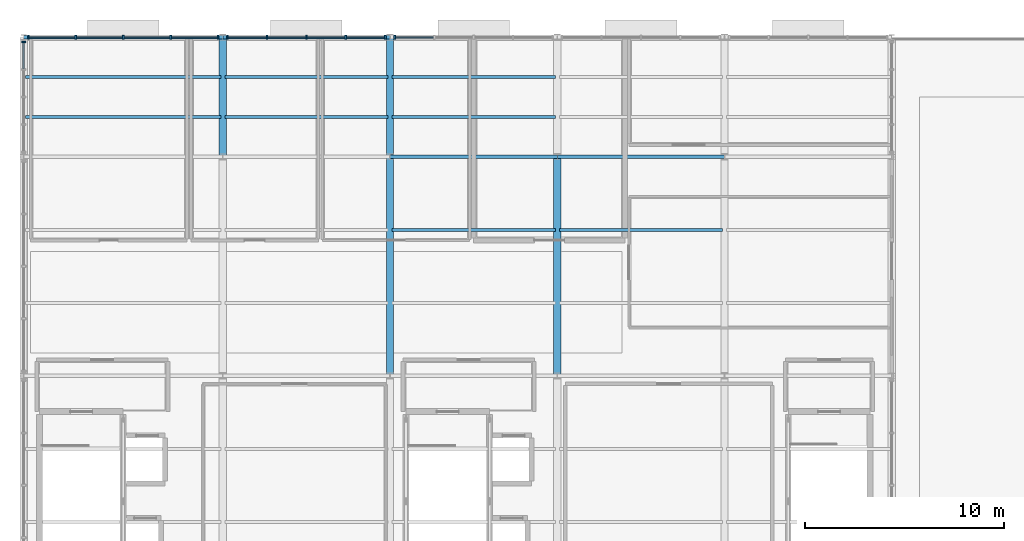
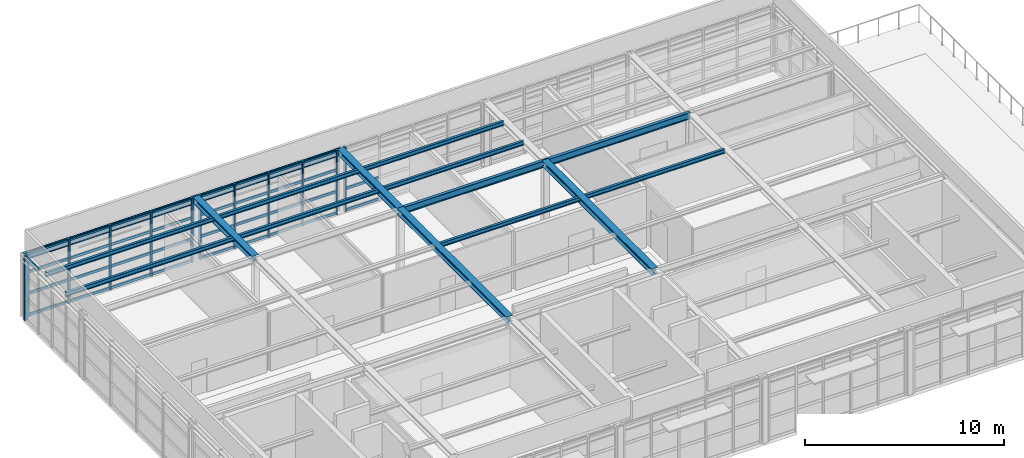
# One storey, part 7 of 18: 47 members, 16 beams, 4 elements without a shape of their own.
"""IFC4 building model written with IfcOpenShell, lengths in metres."""

from ifc_helpers import new_model, si_unit, direction, frame, origin, origin_2d, place, context, subcontext, project, spatial, rectangle, i_section, extrude, material, layer, layer_set, material_profile, profile_set, type_object, element, aggregate, save


model = new_model("IFC4")

# Units and contexts
model_context = context("Model", 3, precision=1e-05, world=origin(), true_north=direction((0.0, 1.0)))
body_context = subcontext(model_context, "Body", "Model", "MODEL_VIEW")
ifc_project = project(units=[si_unit("LENGTHUNIT", "METRE"), si_unit("AREAUNIT", "SQUARE_METRE"), si_unit("VOLUMEUNIT", "CUBIC_METRE"), si_unit("PLANEANGLEUNIT", "RADIAN"), si_unit("MASSUNIT", "GRAM", prefix="KILO")], contexts=[model_context])

# Site, building, storey
site_placement = place(None, origin())
site = spatial("IfcSite", under=ifc_project, at=site_placement, CompositionType="ELEMENT")
building_placement = place(site_placement, origin())
building = spatial("IfcBuilding", under=site, at=building_placement, Name="Sitalva Quay Ferry Terminal", CompositionType="ELEMENT")
storey_placement = place(building_placement, frame((0.0, 0.0, 18.60009765625)))
storey = spatial("IfcBuildingStorey", under=building, at=storey_placement, Name="L05", CompositionType="ELEMENT", Elevation=18.60009765625)

# Beams
ifc_material_1 = material(Name="Structural Steel S355JR", Category="steel")
ifc_material_profile_1 = material_profile(ifc_material_1, i_section(OverallWidth=0.368896484375, OverallDepth=0.35595703125, WebThickness=0.01123046875, FlangeThickness=0.01806640625, FilletRadius=0.014892578125, at=origin_2d()), Name="W360x134")
ifc_profile_set_1 = profile_set([ifc_material_profile_1], Name="Structural Steel S355JR")
beam_type_1 = type_object("IfcBeamType", Name="Beam_W360x134", PredefinedType="BEAM", material=ifc_profile_set_1)
beam_1_placement = place(storey_placement, frame((84.0, 100.0, 3.781982421875), z_axis=(0.0, 1.0, 0.0), x_axis=(-1.0, 0.0, 0.0)))
element("IfcBeam", 1, at=beam_1_placement, inside=storey, type_object=beam_type_1, Name="L05 Primary Y girder 1425", PredefinedType="BEAM", context=body_context, shape_type="SweptSolid", body=[
    extrude(i_section(OverallWidth=0.368896484375, OverallDepth=0.35595703125, WebThickness=0.01123046875, FlangeThickness=0.01806640625, FilletRadius=0.014892578125, at=origin_2d()), origin(), (0.0, 0.0, 1.0), 6.0),
])
beam_2_placement = place(storey_placement, frame((92.39990234375, 89.0, 3.781982421875), z_axis=(0.0, 1.0, 0.0), x_axis=(-1.0, 0.0, 0.0)))
element("IfcBeam", 2, at=beam_2_placement, inside=storey, type_object=beam_type_1, Name="L05 Primary Y girder 1427", PredefinedType="BEAM", context=body_context, shape_type="SweptSolid", body=[
    extrude(i_section(OverallWidth=0.368896484375, OverallDepth=0.35595703125, WebThickness=0.01123046875, FlangeThickness=0.01806640625, FilletRadius=0.014892578125, at=origin_2d()), origin(), (0.0, 0.0, 1.0), 11.0),
])
beam_3_placement = place(storey_placement, frame((92.39990234375, 100.0, 3.781982421875), z_axis=(0.0, 1.0, 0.0), x_axis=(-1.0, 0.0, 0.0)))
element("IfcBeam", 3, at=beam_3_placement, inside=storey, type_object=beam_type_1, Name="L05 Primary Y girder 1428", PredefinedType="BEAM", context=body_context, shape_type="SweptSolid", body=[
    extrude(i_section(OverallWidth=0.368896484375, OverallDepth=0.35595703125, WebThickness=0.01123046875, FlangeThickness=0.01806640625, FilletRadius=0.014892578125, at=origin_2d()), origin(), (0.0, 0.0, 1.0), 6.0),
])
beam_4_placement = place(storey_placement, frame((100.800048828125, 89.0, 3.781982421875), z_axis=(0.0, 1.0, 0.0), x_axis=(-1.0, 0.0, 0.0)))
element("IfcBeam", 4, at=beam_4_placement, inside=storey, type_object=beam_type_1, Name="L05 Primary Y girder 1430", PredefinedType="BEAM", context=body_context, shape_type="SweptSolid", body=[
    extrude(i_section(OverallWidth=0.368896484375, OverallDepth=0.35595703125, WebThickness=0.01123046875, FlangeThickness=0.01806640625, FilletRadius=0.014892578125, at=origin_2d()), origin(), (0.0, 0.0, 1.0), 11.0),
])
ifc_material_2 = material(Name="Structural Steel S355JR", Category="steel")
ifc_material_profile_2 = material_profile(ifc_material_2, i_section(OverallWidth=0.178955078125, OverallDepth=0.409912109375, WebThickness=0.0087890625, FlangeThickness=0.014404296875, FilletRadius=0.012939453125, at=origin_2d()), Name="W410x67")
ifc_profile_set_2 = profile_set([ifc_material_profile_2], Name="Structural Steel S355JR")
beam_type_2 = type_object("IfcBeamType", Name="Beam_W410x67", PredefinedType="BEAM", material=ifc_profile_set_2)
beam_5_placement = place(storey_placement, frame((92.39990234375, 100.0, 3.7548828125), z_axis=(1.0, 0.0, 0.0), x_axis=(0.0, 1.0, 0.0)))
element("IfcBeam", 5, at=beam_5_placement, inside=storey, type_object=beam_type_2, Name="L05 Primary X girder 1412", PredefinedType="BEAM", context=body_context, shape_type="SweptSolid", body=[
    extrude(i_section(OverallWidth=0.178955078125, OverallDepth=0.409912109375, WebThickness=0.0087890625, FlangeThickness=0.014404296875, FilletRadius=0.012939453125, at=origin_2d()), origin(), (0.0, 0.0, 1.0), 8.400146484375),
])
beam_6_placement = place(storey_placement, frame((100.800048828125, 100.0, 3.7548828125), z_axis=(1.0, 0.0, 0.0), x_axis=(0.0, 1.0, 0.0)))
element("IfcBeam", 6, at=beam_6_placement, inside=storey, type_object=beam_type_2, Name="L05 Primary X girder 1413", PredefinedType="BEAM", context=body_context, shape_type="SweptSolid", body=[
    extrude(i_section(OverallWidth=0.178955078125, OverallDepth=0.409912109375, WebThickness=0.0087890625, FlangeThickness=0.014404296875, FilletRadius=0.012939453125, at=origin_2d()), origin(), (0.0, 0.0, 1.0), 8.39990234375),
])
beam_7_placement = place(storey_placement, frame((74.0, 106.0, 3.7548828125), z_axis=(1.0, 0.0, 0.0), x_axis=(0.0, 1.0, 0.0)))
element("IfcBeam", 7, at=beam_7_placement, inside=storey, type_object=beam_type_2, Name="L05 Primary X girder 1415", PredefinedType="BEAM", context=body_context, shape_type="SweptSolid", body=[
    extrude(i_section(OverallWidth=0.178955078125, OverallDepth=0.409912109375, WebThickness=0.0087890625, FlangeThickness=0.014404296875, FilletRadius=0.012939453125, at=origin_2d()), origin(), (0.0, 0.0, 1.0), 10.0),
])
beam_8_placement = place(storey_placement, frame((84.0, 106.0, 3.7548828125), z_axis=(1.0, 0.0, 0.0), x_axis=(0.0, 1.0, 0.0)))
element("IfcBeam", 8, at=beam_8_placement, inside=storey, type_object=beam_type_2, Name="L05 Primary X girder 1416", PredefinedType="BEAM", context=body_context, shape_type="SweptSolid", body=[
    extrude(i_section(OverallWidth=0.178955078125, OverallDepth=0.409912109375, WebThickness=0.0087890625, FlangeThickness=0.014404296875, FilletRadius=0.012939453125, at=origin_2d()), origin(), (0.0, 0.0, 1.0), 8.39990234375),
])
ifc_material_3 = material(Name="Structural Steel S355JR", Category="steel")
ifc_material_profile_3 = material_profile(ifc_material_3, i_section(OverallWidth=0.14697265625, OverallDepth=0.261962890625, WebThickness=0.006591796875, FlangeThickness=0.01123046875, FilletRadius=0.010009765625, at=origin_2d()), Name="W250x39")
ifc_profile_set_3 = profile_set([ifc_material_profile_3], Name="Structural Steel S355JR")
beam_type_3 = type_object("IfcBeamType", Name="Joist_W250x39", PredefinedType="JOIST", material=ifc_profile_set_3)
beam_9_placement = place(storey_placement, frame((92.5, 96.333251953125, 3.828857421875), z_axis=(1.0, 0.0, 0.0), x_axis=(0.0, 1.0, 0.0)))
element("IfcBeam", 9, at=beam_9_placement, inside=storey, type_object=beam_type_3, Name="L05 Secondary joist 1455", PredefinedType="JOIST", context=body_context, shape_type="SweptSolid", body=[
    extrude(i_section(OverallWidth=0.14697265625, OverallDepth=0.261962890625, WebThickness=0.006591796875, FlangeThickness=0.01123046875, FilletRadius=0.010009765625, at=origin_2d()), origin(), (0.0, 0.0, 1.0), 8.199951171875),
])
beam_10_placement = place(storey_placement, frame((100.89990234375, 96.333251953125, 3.828857421875), z_axis=(1.0, 0.0, 0.0), x_axis=(0.0, 1.0, 0.0)))
element("IfcBeam", 10, at=beam_10_placement, inside=storey, type_object=beam_type_3, Name="L05 Secondary joist 1456", PredefinedType="JOIST", context=body_context, shape_type="SweptSolid", body=[
    extrude(i_section(OverallWidth=0.14697265625, OverallDepth=0.261962890625, WebThickness=0.006591796875, FlangeThickness=0.01123046875, FilletRadius=0.010009765625, at=origin_2d()), origin(), (0.0, 0.0, 1.0), 8.2001953125),
])
beam_11_placement = place(storey_placement, frame((74.10009765625, 102.0, 3.828857421875), z_axis=(1.0, 0.0, 0.0), x_axis=(0.0, 1.0, 0.0)))
element("IfcBeam", 11, at=beam_11_placement, inside=storey, type_object=beam_type_3, Name="L05 Secondary joist 1458", PredefinedType="JOIST", context=body_context, shape_type="SweptSolid", body=[
    extrude(i_section(OverallWidth=0.14697265625, OverallDepth=0.261962890625, WebThickness=0.006591796875, FlangeThickness=0.01123046875, FilletRadius=0.010009765625, at=origin_2d()), origin(), (0.0, 0.0, 1.0), 9.7998046875),
])
for number, where, z_axis, x_axis, name in (
    (12, (84.10009765625, 102.0, 3.828857421875), (1.0, 0.0, 0.0), (0.0, 1.0, 0.0), "L05 Secondary joist 1459"),
    (13, (92.5, 102.0, 3.828857421875), (1.0, 0.0, 0.0), (0.0, 1.0, 0.0), "L05 Secondary joist 1460"),
):
    element("IfcBeam", number, at=place(storey_placement, frame(where, z_axis=z_axis, x_axis=x_axis)), inside=storey, type_object=beam_type_3, Name=name, PredefinedType="JOIST", context=body_context, shape_type="SweptSolid", body=[
        extrude(i_section(OverallWidth=0.14697265625, OverallDepth=0.261962890625, WebThickness=0.006591796875, FlangeThickness=0.01123046875, FilletRadius=0.010009765625, at=origin_2d()), origin(), (0.0, 0.0, 1.0), 8.199951171875),
    ])
beam_12_placement = place(storey_placement, frame((74.10009765625, 104.0, 3.828857421875), z_axis=(1.0, 0.0, 0.0), x_axis=(0.0, 1.0, 0.0)))
element("IfcBeam", 14, at=beam_12_placement, inside=storey, type_object=beam_type_3, Name="L05 Secondary joist 1463", PredefinedType="JOIST", context=body_context, shape_type="SweptSolid", body=[
    extrude(i_section(OverallWidth=0.14697265625, OverallDepth=0.261962890625, WebThickness=0.006591796875, FlangeThickness=0.01123046875, FilletRadius=0.010009765625, at=origin_2d()), origin(), (0.0, 0.0, 1.0), 9.7998046875),
])
for number, where, z_axis, x_axis, name in (
    (15, (84.10009765625, 104.0, 3.828857421875), (1.0, 0.0, 0.0), (0.0, 1.0, 0.0), "L05 Secondary joist 1464"),
    (16, (92.5, 104.0, 3.828857421875), (1.0, 0.0, 0.0), (0.0, 1.0, 0.0), "L05 Secondary joist 1465"),
):
    element("IfcBeam", number, at=place(storey_placement, frame(where, z_axis=z_axis, x_axis=x_axis)), inside=storey, type_object=beam_type_3, Name=name, PredefinedType="JOIST", context=body_context, shape_type="SweptSolid", body=[
        extrude(i_section(OverallWidth=0.14697265625, OverallDepth=0.261962890625, WebThickness=0.006591796875, FlangeThickness=0.01123046875, FilletRadius=0.010009765625, at=origin_2d()), origin(), (0.0, 0.0, 1.0), 8.199951171875),
    ])

# Curtain wall, member
ifc_material_4 = material(Name="Anodised Aluminium & Low-E Glazing", Category="aluminium")
ifc_layer = layer(ifc_material_4, 0.159912109375)
ifc_layer_set = layer_set([ifc_layer], Name="Anodised Aluminium & Low-E Glazing")
curtain_wall_type = type_object("IfcCurtainWallType", Name="CW_VTS_Sloped", PredefinedType="USERDEFINED", material=ifc_layer_set)
curtain_wall_1_placement = place(storey_placement, origin())
curtain_wall_1 = element("IfcCurtainWall", 17, at=curtain_wall_1_placement, inside=storey, type_object=curtain_wall_type, Name="L05 VTS west panoramic glazing (CW-L05-152)", ObjectType="CURTAIN_WALL", PredefinedType="USERDEFINED")
ifc_material_5 = material(Name="Anodised Aluminium 6063-T6", Category="aluminium")
ifc_material_profile_4 = material_profile(ifc_material_5, rectangle(XDim=0.090087890625, YDim=0.199951171875, at=origin_2d()), Name="ALU90x200")
ifc_profile_set_4 = profile_set([ifc_material_profile_4], Name="Anodised Aluminium 6063-T6")
member_type_1 = type_object("IfcMemberType", Name="Mullion_Alu_90x200", PredefinedType="MULLION", material=ifc_profile_set_4)
member_1_placement = place(storey_placement, frame((74.0, 105.760009765625, 0.0), z_axis=(0.0, 0.0, 1.0), x_axis=(0.0, 1.0, 0.0)))
member_1 = element("IfcMember", 18, at=member_1_placement, type_object=member_type_1, Name="CW-L05-152-M4", PredefinedType="MULLION", context=body_context, shape_type="SweptSolid", body=[
    extrude(rectangle(XDim=0.090087890625, YDim=0.199951171875, at=origin_2d()), origin(), (0.0, 0.0, 1.0), 3.9599609375),
])

# Curtain wall, members
curtain_wall_2_placement = place(storey_placement, origin())
curtain_wall_2 = element("IfcCurtainWall", 19, at=curtain_wall_2_placement, inside=storey, type_object=curtain_wall_type, Name="L05 VTS bridge north glazing (CW-L05-155)", ObjectType="CURTAIN_WALL", PredefinedType="USERDEFINED")
member_2_placement = place(storey_placement, frame((74.239990234375, 106.0, 0.0), z_axis=(0.0, 0.0, 1.0), x_axis=(1.0, 0.0, 0.0)))
member_2 = element("IfcMember", 20, at=member_2_placement, type_object=member_type_1, Name="CW-L05-155-M0", PredefinedType="MULLION", context=body_context, shape_type="SweptSolid", body=[
    extrude(rectangle(XDim=0.090087890625, YDim=0.199951171875, at=origin_2d()), origin(), (0.0, 0.0, 1.0), 3.9599609375),
])
member_3_placement = place(storey_placement, frame((76.6201171875, 106.0, 0.0), z_axis=(0.0, 0.0, 1.0), x_axis=(1.0, 0.0, 0.0)))
member_3 = element("IfcMember", 21, at=member_3_placement, type_object=member_type_1, Name="CW-L05-155-M1", PredefinedType="MULLION", context=body_context, shape_type="SweptSolid", body=[
    extrude(rectangle(XDim=0.090087890625, YDim=0.199951171875, at=origin_2d()), origin(), (0.0, 0.0, 1.0), 3.9599609375),
])
member_4_placement = place(storey_placement, frame((79.0, 106.0, 0.0), z_axis=(0.0, 0.0, 1.0), x_axis=(1.0, 0.0, 0.0)))
member_4 = element("IfcMember", 22, at=member_4_placement, type_object=member_type_1, Name="CW-L05-155-M2", PredefinedType="MULLION", context=body_context, shape_type="SweptSolid", body=[
    extrude(rectangle(XDim=0.090087890625, YDim=0.199951171875, at=origin_2d()), origin(), (0.0, 0.0, 1.0), 3.9599609375),
])
member_5_placement = place(storey_placement, frame((81.3798828125, 106.0, 0.0), z_axis=(0.0, 0.0, 1.0), x_axis=(1.0, 0.0, 0.0)))
member_5 = element("IfcMember", 23, at=member_5_placement, type_object=member_type_1, Name="CW-L05-155-M3", PredefinedType="MULLION", context=body_context, shape_type="SweptSolid", body=[
    extrude(rectangle(XDim=0.090087890625, YDim=0.199951171875, at=origin_2d()), origin(), (0.0, 0.0, 1.0), 3.9599609375),
])
member_6_placement = place(storey_placement, frame((83.760009765625, 106.0, 0.0), z_axis=(0.0, 0.0, 1.0), x_axis=(1.0, 0.0, 0.0)))
member_6 = element("IfcMember", 24, at=member_6_placement, type_object=member_type_1, Name="CW-L05-155-M4", PredefinedType="MULLION", context=body_context, shape_type="SweptSolid", body=[
    extrude(rectangle(XDim=0.090087890625, YDim=0.199951171875, at=origin_2d()), origin(), (0.0, 0.0, 1.0), 3.9599609375),
])

curtain_wall_3_placement = place(storey_placement, origin())
curtain_wall_3 = element("IfcCurtainWall", 25, at=curtain_wall_3_placement, inside=storey, type_object=curtain_wall_type, Name="L05 VTS bridge north glazing (CW-L05-157)", ObjectType="CURTAIN_WALL", PredefinedType="USERDEFINED")
member_7_placement = place(storey_placement, frame((84.239990234375, 106.0, 0.0), z_axis=(0.0, 0.0, 1.0), x_axis=(1.0, 0.0, 0.0)))
member_7 = element("IfcMember", 26, at=member_7_placement, type_object=member_type_1, Name="CW-L05-157-M0", PredefinedType="MULLION", context=body_context, shape_type="SweptSolid", body=[
    extrude(rectangle(XDim=0.090087890625, YDim=0.199951171875, at=origin_2d()), origin(), (0.0, 0.0, 1.0), 3.9599609375),
])
member_8_placement = place(storey_placement, frame((86.219970703125, 106.0, 0.0), z_axis=(0.0, 0.0, 1.0), x_axis=(1.0, 0.0, 0.0)))
member_8 = element("IfcMember", 27, at=member_8_placement, type_object=member_type_1, Name="CW-L05-157-M1", PredefinedType="MULLION", context=body_context, shape_type="SweptSolid", body=[
    extrude(rectangle(XDim=0.090087890625, YDim=0.199951171875, at=origin_2d()), origin(), (0.0, 0.0, 1.0), 3.9599609375),
])
member_9_placement = place(storey_placement, frame((88.199951171875, 106.0, 0.0), z_axis=(0.0, 0.0, 1.0), x_axis=(1.0, 0.0, 0.0)))
member_9 = element("IfcMember", 28, at=member_9_placement, type_object=member_type_1, Name="CW-L05-157-M2", PredefinedType="MULLION", context=body_context, shape_type="SweptSolid", body=[
    extrude(rectangle(XDim=0.090087890625, YDim=0.199951171875, at=origin_2d()), origin(), (0.0, 0.0, 1.0), 3.9599609375),
])
member_10_placement = place(storey_placement, frame((90.179931640625, 106.0, 0.0), z_axis=(0.0, 0.0, 1.0), x_axis=(1.0, 0.0, 0.0)))
member_10 = element("IfcMember", 29, at=member_10_placement, type_object=member_type_1, Name="CW-L05-157-M3", PredefinedType="MULLION", context=body_context, shape_type="SweptSolid", body=[
    extrude(rectangle(XDim=0.090087890625, YDim=0.199951171875, at=origin_2d()), origin(), (0.0, 0.0, 1.0), 3.9599609375),
])
member_11_placement = place(storey_placement, frame((92.159912109375, 106.0, 0.0), z_axis=(0.0, 0.0, 1.0), x_axis=(1.0, 0.0, 0.0)))
member_11 = element("IfcMember", 30, at=member_11_placement, type_object=member_type_1, Name="CW-L05-157-M4", PredefinedType="MULLION", context=body_context, shape_type="SweptSolid", body=[
    extrude(rectangle(XDim=0.090087890625, YDim=0.199951171875, at=origin_2d()), origin(), (0.0, 0.0, 1.0), 3.9599609375),
])

# Curtain wall, member
curtain_wall_4_placement = place(storey_placement, origin())
curtain_wall_4 = element("IfcCurtainWall", 31, at=curtain_wall_4_placement, inside=storey, type_object=curtain_wall_type, Name="L05 VTS bridge north glazing (CW-L05-159)", ObjectType="CURTAIN_WALL", PredefinedType="USERDEFINED")
member_12_placement = place(storey_placement, frame((92.639892578125, 106.0, 0.0), z_axis=(0.0, 0.0, 1.0), x_axis=(1.0, 0.0, 0.0)))
member_12 = element("IfcMember", 32, at=member_12_placement, type_object=member_type_1, Name="CW-L05-159-M0", PredefinedType="MULLION", context=body_context, shape_type="SweptSolid", body=[
    extrude(rectangle(XDim=0.090087890625, YDim=0.199951171875, at=origin_2d()), origin(), (0.0, 0.0, 1.0), 3.9599609375),
])

# Member
ifc_material_6 = material(Name="Anodised Aluminium 6063-T6", Category="aluminium")
ifc_material_profile_5 = material_profile(ifc_material_6, rectangle(XDim=0.080078125, YDim=0.1650390625, at=origin_2d()), Name="ALU80x165")
ifc_profile_set_5 = profile_set([ifc_material_profile_5], Name="Anodised Aluminium 6063-T6")
member_type_2 = type_object("IfcMemberType", Name="Transom_Alu_80x165", PredefinedType="MULLION", material=ifc_profile_set_5)
member_13_placement = place(storey_placement, frame((74.0, 104.425048828125, 3.87744140625), z_axis=(0.0, 1.0, 0.0), x_axis=(-1.0, 0.0, 0.0)))
member_13 = element("IfcMember", 33, at=member_13_placement, type_object=member_type_2, Name="CW-L05-152-T3-3", ObjectType="TRANSOM", PredefinedType="USERDEFINED", context=body_context, shape_type="SweptSolid", body=[
    extrude(rectangle(XDim=0.080078125, YDim=0.1650390625, at=origin_2d()), origin(), (0.0, 0.0, 1.0), 1.2900390625),
])

aggregate(curtain_wall_1, [member_1, member_13])

member_14_placement = place(storey_placement, frame((74.284912109375, 106.0, 0.08251953125), z_axis=(1.0, 0.0, 0.0), x_axis=(0.0, 1.0, 0.0)))
member_14 = element("IfcMember", 34, at=member_14_placement, type_object=member_type_2, Name="CW-L05-155-T0-0", ObjectType="TRANSOM", PredefinedType="USERDEFINED", context=body_context, shape_type="SweptSolid", body=[
    extrude(rectangle(XDim=0.080078125, YDim=0.1650390625, at=origin_2d()), origin(), (0.0, 0.0, 1.0), 2.2900390625),
])

member_15_placement = place(storey_placement, frame((74.284912109375, 106.0, 1.40234375), z_axis=(1.0, 0.0, 0.0), x_axis=(0.0, 1.0, 0.0)))
member_15 = element("IfcMember", 35, at=member_15_placement, type_object=member_type_2, Name="CW-L05-155-T0-1", ObjectType="TRANSOM", PredefinedType="USERDEFINED", context=body_context, shape_type="SweptSolid", body=[
    extrude(rectangle(XDim=0.080078125, YDim=0.1650390625, at=origin_2d()), origin(), (0.0, 0.0, 1.0), 2.2900390625),
])

member_16_placement = place(storey_placement, frame((74.284912109375, 106.0, 2.722412109375), z_axis=(1.0, 0.0, 0.0), x_axis=(0.0, 1.0, 0.0)))
member_16 = element("IfcMember", 36, at=member_16_placement, type_object=member_type_2, Name="CW-L05-155-T0-2", ObjectType="TRANSOM", PredefinedType="USERDEFINED", context=body_context, shape_type="SweptSolid", body=[
    extrude(rectangle(XDim=0.080078125, YDim=0.1650390625, at=origin_2d()), origin(), (0.0, 0.0, 1.0), 2.2900390625),
])

member_17_placement = place(storey_placement, frame((74.284912109375, 106.0, 3.87744140625), z_axis=(1.0, 0.0, 0.0), x_axis=(0.0, 1.0, 0.0)))
member_17 = element("IfcMember", 37, at=member_17_placement, type_object=member_type_2, Name="CW-L05-155-T0-3", ObjectType="TRANSOM", PredefinedType="USERDEFINED", context=body_context, shape_type="SweptSolid", body=[
    extrude(rectangle(XDim=0.080078125, YDim=0.1650390625, at=origin_2d()), origin(), (0.0, 0.0, 1.0), 2.2900390625),
])

member_18_placement = place(storey_placement, frame((76.6650390625, 106.0, 0.08251953125), z_axis=(1.0, 0.0, 0.0), x_axis=(0.0, 1.0, 0.0)))
member_18 = element("IfcMember", 38, at=member_18_placement, type_object=member_type_2, Name="CW-L05-155-T1-0", ObjectType="TRANSOM", PredefinedType="USERDEFINED", context=body_context, shape_type="SweptSolid", body=[
    extrude(rectangle(XDim=0.080078125, YDim=0.1650390625, at=origin_2d()), origin(), (0.0, 0.0, 1.0), 2.2900390625),
])

member_19_placement = place(storey_placement, frame((76.6650390625, 106.0, 1.40234375), z_axis=(1.0, 0.0, 0.0), x_axis=(0.0, 1.0, 0.0)))
member_19 = element("IfcMember", 39, at=member_19_placement, type_object=member_type_2, Name="CW-L05-155-T1-1", ObjectType="TRANSOM", PredefinedType="USERDEFINED", context=body_context, shape_type="SweptSolid", body=[
    extrude(rectangle(XDim=0.080078125, YDim=0.1650390625, at=origin_2d()), origin(), (0.0, 0.0, 1.0), 2.2900390625),
])

member_20_placement = place(storey_placement, frame((76.6650390625, 106.0, 2.722412109375), z_axis=(1.0, 0.0, 0.0), x_axis=(0.0, 1.0, 0.0)))
member_20 = element("IfcMember", 40, at=member_20_placement, type_object=member_type_2, Name="CW-L05-155-T1-2", ObjectType="TRANSOM", PredefinedType="USERDEFINED", context=body_context, shape_type="SweptSolid", body=[
    extrude(rectangle(XDim=0.080078125, YDim=0.1650390625, at=origin_2d()), origin(), (0.0, 0.0, 1.0), 2.2900390625),
])

member_21_placement = place(storey_placement, frame((76.6650390625, 106.0, 3.87744140625), z_axis=(1.0, 0.0, 0.0), x_axis=(0.0, 1.0, 0.0)))
member_21 = element("IfcMember", 41, at=member_21_placement, type_object=member_type_2, Name="CW-L05-155-T1-3", ObjectType="TRANSOM", PredefinedType="USERDEFINED", context=body_context, shape_type="SweptSolid", body=[
    extrude(rectangle(XDim=0.080078125, YDim=0.1650390625, at=origin_2d()), origin(), (0.0, 0.0, 1.0), 2.2900390625),
])

member_22_placement = place(storey_placement, frame((79.044921875, 106.0, 0.08251953125), z_axis=(1.0, 0.0, 0.0), x_axis=(0.0, 1.0, 0.0)))
member_22 = element("IfcMember", 42, at=member_22_placement, type_object=member_type_2, Name="CW-L05-155-T2-0", ObjectType="TRANSOM", PredefinedType="USERDEFINED", context=body_context, shape_type="SweptSolid", body=[
    extrude(rectangle(XDim=0.080078125, YDim=0.1650390625, at=origin_2d()), origin(), (0.0, 0.0, 1.0), 2.2900390625),
])

member_23_placement = place(storey_placement, frame((79.044921875, 106.0, 1.40234375), z_axis=(1.0, 0.0, 0.0), x_axis=(0.0, 1.0, 0.0)))
member_23 = element("IfcMember", 43, at=member_23_placement, type_object=member_type_2, Name="CW-L05-155-T2-1", ObjectType="TRANSOM", PredefinedType="USERDEFINED", context=body_context, shape_type="SweptSolid", body=[
    extrude(rectangle(XDim=0.080078125, YDim=0.1650390625, at=origin_2d()), origin(), (0.0, 0.0, 1.0), 2.2900390625),
])

member_24_placement = place(storey_placement, frame((79.044921875, 106.0, 2.722412109375), z_axis=(1.0, 0.0, 0.0), x_axis=(0.0, 1.0, 0.0)))
member_24 = element("IfcMember", 44, at=member_24_placement, type_object=member_type_2, Name="CW-L05-155-T2-2", ObjectType="TRANSOM", PredefinedType="USERDEFINED", context=body_context, shape_type="SweptSolid", body=[
    extrude(rectangle(XDim=0.080078125, YDim=0.1650390625, at=origin_2d()), origin(), (0.0, 0.0, 1.0), 2.2900390625),
])

member_25_placement = place(storey_placement, frame((79.044921875, 106.0, 3.87744140625), z_axis=(1.0, 0.0, 0.0), x_axis=(0.0, 1.0, 0.0)))
member_25 = element("IfcMember", 45, at=member_25_placement, type_object=member_type_2, Name="CW-L05-155-T2-3", ObjectType="TRANSOM", PredefinedType="USERDEFINED", context=body_context, shape_type="SweptSolid", body=[
    extrude(rectangle(XDim=0.080078125, YDim=0.1650390625, at=origin_2d()), origin(), (0.0, 0.0, 1.0), 2.2900390625),
])

member_26_placement = place(storey_placement, frame((81.425048828125, 106.0, 0.08251953125), z_axis=(1.0, 0.0, 0.0), x_axis=(0.0, 1.0, 0.0)))
member_26 = element("IfcMember", 46, at=member_26_placement, type_object=member_type_2, Name="CW-L05-155-T3-0", ObjectType="TRANSOM", PredefinedType="USERDEFINED", context=body_context, shape_type="SweptSolid", body=[
    extrude(rectangle(XDim=0.080078125, YDim=0.1650390625, at=origin_2d()), origin(), (0.0, 0.0, 1.0), 2.2900390625),
])

member_27_placement = place(storey_placement, frame((81.425048828125, 106.0, 1.40234375), z_axis=(1.0, 0.0, 0.0), x_axis=(0.0, 1.0, 0.0)))
member_27 = element("IfcMember", 47, at=member_27_placement, type_object=member_type_2, Name="CW-L05-155-T3-1", ObjectType="TRANSOM", PredefinedType="USERDEFINED", context=body_context, shape_type="SweptSolid", body=[
    extrude(rectangle(XDim=0.080078125, YDim=0.1650390625, at=origin_2d()), origin(), (0.0, 0.0, 1.0), 2.2900390625),
])

member_28_placement = place(storey_placement, frame((81.425048828125, 106.0, 2.722412109375), z_axis=(1.0, 0.0, 0.0), x_axis=(0.0, 1.0, 0.0)))
member_28 = element("IfcMember", 48, at=member_28_placement, type_object=member_type_2, Name="CW-L05-155-T3-2", ObjectType="TRANSOM", PredefinedType="USERDEFINED", context=body_context, shape_type="SweptSolid", body=[
    extrude(rectangle(XDim=0.080078125, YDim=0.1650390625, at=origin_2d()), origin(), (0.0, 0.0, 1.0), 2.2900390625),
])

member_29_placement = place(storey_placement, frame((81.425048828125, 106.0, 3.87744140625), z_axis=(1.0, 0.0, 0.0), x_axis=(0.0, 1.0, 0.0)))
member_29 = element("IfcMember", 49, at=member_29_placement, type_object=member_type_2, Name="CW-L05-155-T3-3", ObjectType="TRANSOM", PredefinedType="USERDEFINED", context=body_context, shape_type="SweptSolid", body=[
    extrude(rectangle(XDim=0.080078125, YDim=0.1650390625, at=origin_2d()), origin(), (0.0, 0.0, 1.0), 2.2900390625),
])

aggregate(curtain_wall_2, [member_2, member_3, member_4, member_5, member_6, member_14, member_15, member_16, member_17, member_18, member_19, member_20, member_21, member_22, member_23, member_24, member_25, member_26, member_27, member_28, member_29])

member_30_placement = place(storey_placement, frame((84.284912109375, 106.0, 0.08251953125), z_axis=(1.0, 0.0, 0.0), x_axis=(0.0, 1.0, 0.0)))
member_30 = element("IfcMember", 50, at=member_30_placement, type_object=member_type_2, Name="CW-L05-157-T0-0", ObjectType="TRANSOM", PredefinedType="USERDEFINED", context=body_context, shape_type="SweptSolid", body=[
    extrude(rectangle(XDim=0.080078125, YDim=0.1650390625, at=origin_2d()), origin(), (0.0, 0.0, 1.0), 1.89013671875),
])

member_31_placement = place(storey_placement, frame((84.284912109375, 106.0, 1.40234375), z_axis=(1.0, 0.0, 0.0), x_axis=(0.0, 1.0, 0.0)))
member_31 = element("IfcMember", 51, at=member_31_placement, type_object=member_type_2, Name="CW-L05-157-T0-1", ObjectType="TRANSOM", PredefinedType="USERDEFINED", context=body_context, shape_type="SweptSolid", body=[
    extrude(rectangle(XDim=0.080078125, YDim=0.1650390625, at=origin_2d()), origin(), (0.0, 0.0, 1.0), 1.89013671875),
])

member_32_placement = place(storey_placement, frame((84.284912109375, 106.0, 2.722412109375), z_axis=(1.0, 0.0, 0.0), x_axis=(0.0, 1.0, 0.0)))
member_32 = element("IfcMember", 52, at=member_32_placement, type_object=member_type_2, Name="CW-L05-157-T0-2", ObjectType="TRANSOM", PredefinedType="USERDEFINED", context=body_context, shape_type="SweptSolid", body=[
    extrude(rectangle(XDim=0.080078125, YDim=0.1650390625, at=origin_2d()), origin(), (0.0, 0.0, 1.0), 1.89013671875),
])

member_33_placement = place(storey_placement, frame((84.284912109375, 106.0, 3.87744140625), z_axis=(1.0, 0.0, 0.0), x_axis=(0.0, 1.0, 0.0)))
member_33 = element("IfcMember", 53, at=member_33_placement, type_object=member_type_2, Name="CW-L05-157-T0-3", ObjectType="TRANSOM", PredefinedType="USERDEFINED", context=body_context, shape_type="SweptSolid", body=[
    extrude(rectangle(XDim=0.080078125, YDim=0.1650390625, at=origin_2d()), origin(), (0.0, 0.0, 1.0), 1.89013671875),
])

member_34_placement = place(storey_placement, frame((86.264892578125, 106.0, 0.08251953125), z_axis=(1.0, 0.0, 0.0), x_axis=(0.0, 1.0, 0.0)))
member_34 = element("IfcMember", 54, at=member_34_placement, type_object=member_type_2, Name="CW-L05-157-T1-0", ObjectType="TRANSOM", PredefinedType="USERDEFINED", context=body_context, shape_type="SweptSolid", body=[
    extrude(rectangle(XDim=0.080078125, YDim=0.1650390625, at=origin_2d()), origin(), (0.0, 0.0, 1.0), 1.89013671875),
])

member_35_placement = place(storey_placement, frame((86.264892578125, 106.0, 1.40234375), z_axis=(1.0, 0.0, 0.0), x_axis=(0.0, 1.0, 0.0)))
member_35 = element("IfcMember", 55, at=member_35_placement, type_object=member_type_2, Name="CW-L05-157-T1-1", ObjectType="TRANSOM", PredefinedType="USERDEFINED", context=body_context, shape_type="SweptSolid", body=[
    extrude(rectangle(XDim=0.080078125, YDim=0.1650390625, at=origin_2d()), origin(), (0.0, 0.0, 1.0), 1.89013671875),
])

member_36_placement = place(storey_placement, frame((86.264892578125, 106.0, 2.722412109375), z_axis=(1.0, 0.0, 0.0), x_axis=(0.0, 1.0, 0.0)))
member_36 = element("IfcMember", 56, at=member_36_placement, type_object=member_type_2, Name="CW-L05-157-T1-2", ObjectType="TRANSOM", PredefinedType="USERDEFINED", context=body_context, shape_type="SweptSolid", body=[
    extrude(rectangle(XDim=0.080078125, YDim=0.1650390625, at=origin_2d()), origin(), (0.0, 0.0, 1.0), 1.89013671875),
])

member_37_placement = place(storey_placement, frame((86.264892578125, 106.0, 3.87744140625), z_axis=(1.0, 0.0, 0.0), x_axis=(0.0, 1.0, 0.0)))
member_37 = element("IfcMember", 57, at=member_37_placement, type_object=member_type_2, Name="CW-L05-157-T1-3", ObjectType="TRANSOM", PredefinedType="USERDEFINED", context=body_context, shape_type="SweptSolid", body=[
    extrude(rectangle(XDim=0.080078125, YDim=0.1650390625, at=origin_2d()), origin(), (0.0, 0.0, 1.0), 1.89013671875),
])

member_38_placement = place(storey_placement, frame((88.2451171875, 106.0, 0.08251953125), z_axis=(1.0, 0.0, 0.0), x_axis=(0.0, 1.0, 0.0)))
member_38 = element("IfcMember", 58, at=member_38_placement, type_object=member_type_2, Name="CW-L05-157-T2-0", ObjectType="TRANSOM", PredefinedType="USERDEFINED", context=body_context, shape_type="SweptSolid", body=[
    extrude(rectangle(XDim=0.080078125, YDim=0.1650390625, at=origin_2d()), origin(), (0.0, 0.0, 1.0), 1.889892578125),
])

member_39_placement = place(storey_placement, frame((88.2451171875, 106.0, 1.40234375), z_axis=(1.0, 0.0, 0.0), x_axis=(0.0, 1.0, 0.0)))
member_39 = element("IfcMember", 59, at=member_39_placement, type_object=member_type_2, Name="CW-L05-157-T2-1", ObjectType="TRANSOM", PredefinedType="USERDEFINED", context=body_context, shape_type="SweptSolid", body=[
    extrude(rectangle(XDim=0.080078125, YDim=0.1650390625, at=origin_2d()), origin(), (0.0, 0.0, 1.0), 1.889892578125),
])

member_40_placement = place(storey_placement, frame((88.2451171875, 106.0, 2.722412109375), z_axis=(1.0, 0.0, 0.0), x_axis=(0.0, 1.0, 0.0)))
member_40 = element("IfcMember", 60, at=member_40_placement, type_object=member_type_2, Name="CW-L05-157-T2-2", ObjectType="TRANSOM", PredefinedType="USERDEFINED", context=body_context, shape_type="SweptSolid", body=[
    extrude(rectangle(XDim=0.080078125, YDim=0.1650390625, at=origin_2d()), origin(), (0.0, 0.0, 1.0), 1.889892578125),
])

member_41_placement = place(storey_placement, frame((88.2451171875, 106.0, 3.87744140625), z_axis=(1.0, 0.0, 0.0), x_axis=(0.0, 1.0, 0.0)))
member_41 = element("IfcMember", 61, at=member_41_placement, type_object=member_type_2, Name="CW-L05-157-T2-3", ObjectType="TRANSOM", PredefinedType="USERDEFINED", context=body_context, shape_type="SweptSolid", body=[
    extrude(rectangle(XDim=0.080078125, YDim=0.1650390625, at=origin_2d()), origin(), (0.0, 0.0, 1.0), 1.889892578125),
])

member_42_placement = place(storey_placement, frame((90.22509765625, 106.0, 0.08251953125), z_axis=(1.0, 0.0, 0.0), x_axis=(0.0, 1.0, 0.0)))
member_42 = element("IfcMember", 62, at=member_42_placement, type_object=member_type_2, Name="CW-L05-157-T3-0", ObjectType="TRANSOM", PredefinedType="USERDEFINED", context=body_context, shape_type="SweptSolid", body=[
    extrude(rectangle(XDim=0.080078125, YDim=0.1650390625, at=origin_2d()), origin(), (0.0, 0.0, 1.0), 1.889892578125),
])

member_43_placement = place(storey_placement, frame((90.22509765625, 106.0, 1.40234375), z_axis=(1.0, 0.0, 0.0), x_axis=(0.0, 1.0, 0.0)))
member_43 = element("IfcMember", 63, at=member_43_placement, type_object=member_type_2, Name="CW-L05-157-T3-1", ObjectType="TRANSOM", PredefinedType="USERDEFINED", context=body_context, shape_type="SweptSolid", body=[
    extrude(rectangle(XDim=0.080078125, YDim=0.1650390625, at=origin_2d()), origin(), (0.0, 0.0, 1.0), 1.889892578125),
])

member_44_placement = place(storey_placement, frame((90.22509765625, 106.0, 2.722412109375), z_axis=(1.0, 0.0, 0.0), x_axis=(0.0, 1.0, 0.0)))
member_44 = element("IfcMember", 64, at=member_44_placement, type_object=member_type_2, Name="CW-L05-157-T3-2", ObjectType="TRANSOM", PredefinedType="USERDEFINED", context=body_context, shape_type="SweptSolid", body=[
    extrude(rectangle(XDim=0.080078125, YDim=0.1650390625, at=origin_2d()), origin(), (0.0, 0.0, 1.0), 1.889892578125),
])

member_45_placement = place(storey_placement, frame((90.22509765625, 106.0, 3.87744140625), z_axis=(1.0, 0.0, 0.0), x_axis=(0.0, 1.0, 0.0)))
member_45 = element("IfcMember", 65, at=member_45_placement, type_object=member_type_2, Name="CW-L05-157-T3-3", ObjectType="TRANSOM", PredefinedType="USERDEFINED", context=body_context, shape_type="SweptSolid", body=[
    extrude(rectangle(XDim=0.080078125, YDim=0.1650390625, at=origin_2d()), origin(), (0.0, 0.0, 1.0), 1.889892578125),
])

aggregate(curtain_wall_3, [member_7, member_8, member_9, member_10, member_11, member_30, member_31, member_32, member_33, member_34, member_35, member_36, member_37, member_38, member_39, member_40, member_41, member_42, member_43, member_44, member_45])

member_46_placement = place(storey_placement, frame((92.68505859375, 106.0, 0.08251953125), z_axis=(1.0, 0.0, 0.0), x_axis=(0.0, 1.0, 0.0)))
member_46 = element("IfcMember", 66, at=member_46_placement, type_object=member_type_2, Name="CW-L05-159-T0-0", ObjectType="TRANSOM", PredefinedType="USERDEFINED", context=body_context, shape_type="SweptSolid", body=[
    extrude(rectangle(XDim=0.080078125, YDim=0.1650390625, at=origin_2d()), origin(), (0.0, 0.0, 1.0), 1.889892578125),
])

member_47_placement = place(storey_placement, frame((92.68505859375, 106.0, 1.40234375), z_axis=(1.0, 0.0, 0.0), x_axis=(0.0, 1.0, 0.0)))
member_47 = element("IfcMember", 67, at=member_47_placement, type_object=member_type_2, Name="CW-L05-159-T0-1", ObjectType="TRANSOM", PredefinedType="USERDEFINED", context=body_context, shape_type="SweptSolid", body=[
    extrude(rectangle(XDim=0.080078125, YDim=0.1650390625, at=origin_2d()), origin(), (0.0, 0.0, 1.0), 1.889892578125),
])

aggregate(curtain_wall_4, [member_12, member_46, member_47])

save(model, "model.ifc")
